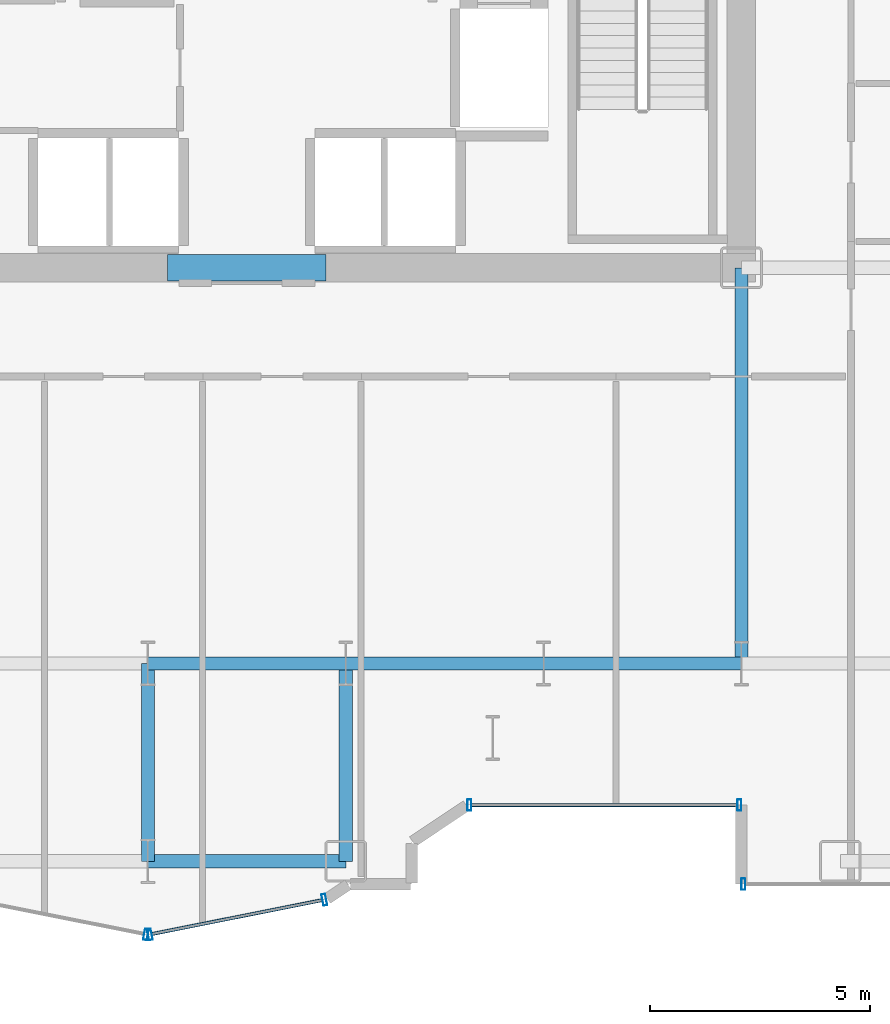
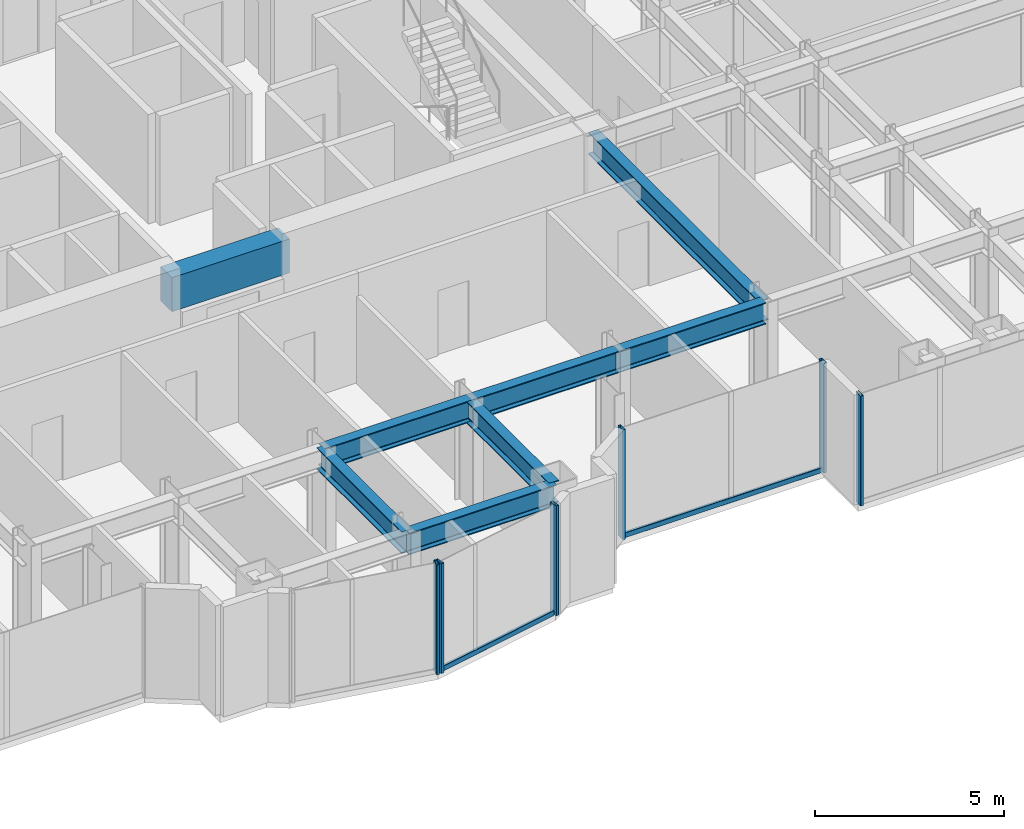
# One storey, part 8 of 30: 8 beams, 8 members, 4 elements without a shape of their own.
"""IFC4 building model written with IfcOpenShell, lengths in metres."""

from ifc_helpers import new_model, si_unit, direction, frame, origin, origin_2d, place, context, subcontext, project, spatial, rectangle, hollow_rectangle, i_section, extrude, source, transform, mapped, material, layer, layer_set, material_profile, profile_set, type_object, element, aggregate, save


model = new_model("IFC4")

# Units and contexts
model_context = context("Model", 3, precision=1e-05, world=origin(), true_north=direction((0.0, 1.0)))
body_context = subcontext(model_context, "Body", "Model", "MODEL_VIEW")
ifc_project = project(units=[si_unit("LENGTHUNIT", "METRE"), si_unit("AREAUNIT", "SQUARE_METRE"), si_unit("VOLUMEUNIT", "CUBIC_METRE"), si_unit("PLANEANGLEUNIT", "RADIAN"), si_unit("MASSUNIT", "GRAM", prefix="KILO")], contexts=[model_context])

# Site, building, storey
site_placement = place(None, origin())
site = spatial("IfcSite", under=ifc_project, at=site_placement, CompositionType="ELEMENT")
building_placement = place(site_placement, origin())
building = spatial("IfcBuilding", under=site, at=building_placement, Name="Nefas-Gora Pilgrimage Tower", CompositionType="ELEMENT")
storey_placement = place(building_placement, frame((0.0, 0.0, 33.0)))
storey = spatial("IfcBuildingStorey", under=building, at=storey_placement, Name="L06", CompositionType="ELEMENT", Elevation=33.0)

# Beams
ifc_material_1 = material(Name="Concrete C60/75", Category="concrete")
ifc_material_profile_1 = material_profile(ifc_material_1, rectangle(XDim=0.60009765625, YDim=1.10009765625, at=origin_2d()), Name="RC 600x1100")
ifc_profile_set_1 = profile_set([ifc_material_profile_1], Name="Concrete C60/75")
beam_type_1 = type_object("IfcBeamType", Name="BM-LIN-RC1100", PredefinedType="LINTEL", material=ifc_profile_set_1)
shared_shape_1 = source(origin(), body_context, "Body", "SweptSolid", [
    extrude(rectangle(XDim=0.60009765625, YDim=1.10009765625, at=origin_2d()), origin(), (0.0, 0.0, 1.0), 3.60009765625),
])
beam_1_placement = place(storey_placement, frame((-1.800048828125, -9.0, 3.0), z_axis=(1.0, 0.0, 0.0), x_axis=(0.0, 1.0, 0.0)))
element("IfcBeam", 1, at=beam_1_placement, inside=storey, type_object=beam_type_1, Name="L06 Core Coupling Lintel Beam S", PredefinedType="LINTEL", context=body_context, shape_type="MappedRepresentation", body=[
    mapped(shared_shape_1, transform((0.0, 0.0, 0.0), x_axis=(1.0, 0.0, 0.0), y_axis=(0.0, 1.0, 0.0), z_axis=(0.0, 0.0, 1.0), scale=1.0)),
])
ifc_material_2 = material(Name="Steel S355", Category="steel")
ifc_material_profile_2 = material_profile(ifc_material_2, i_section(OverallWidth=0.300048828125, OverallDepth=0.699951171875, WebThickness=0.01708984375, FlangeThickness=0.031982421875, FilletRadius=0.027099609375, at=origin_2d()), Name="HEB 700")
ifc_profile_set_2 = profile_set([ifc_material_profile_2], Name="Steel S355")
beam_type_2 = type_object("IfcBeamType", Name="BM-GIR-HEB700", PredefinedType="BEAM", material=ifc_profile_set_2)
shared_shape_2 = source(origin(), body_context, "Body", "SweptSolid", [
    extrude(i_section(OverallWidth=0.300048828125, OverallDepth=0.699951171875, WebThickness=0.01708984375, FlangeThickness=0.031982421875, FilletRadius=0.027099609375, at=origin_2d()), origin(), (0.0, 0.0, 1.0), 9.0),
])
beam_2_placement = place(storey_placement, frame((11.25, -18.0, 3.199951171875), z_axis=(0.0, 1.0, 0.0), x_axis=(-1.0, 0.0, 0.0)))
element("IfcBeam", 2, at=beam_2_placement, inside=storey, type_object=beam_type_2, Name="L06 G-02 beam", PredefinedType="BEAM", context=body_context, shape_type="MappedRepresentation", body=[
    mapped(shared_shape_2, transform((0.0, 0.0, 0.0), x_axis=(1.0, 0.0, 0.0), y_axis=(0.0, 1.0, 0.0), z_axis=(0.0, 0.0, 1.0), scale=1.0)),
])
shared_shape_3 = source(origin(), body_context, "Body", "SweptSolid", [
    extrude(i_section(OverallWidth=0.300048828125, OverallDepth=0.699951171875, WebThickness=0.01708984375, FlangeThickness=0.031982421875, FilletRadius=0.027099609375, at=origin_2d()), origin(), (0.0, 0.0, 1.0), 4.5),
])
for number, where, z_axis, x_axis, name in (
    (3, (-2.25, -22.5, 3.199951171875), (0.0, 1.0, 0.0), (-1.0, 0.0, 0.0), "L06 G-02 beam"),
    (4, (-2.25, -22.5, 3.199951171875), (1.0, 0.0, 0.0), (0.0, 1.0, 0.0), "L06 G-02 beam"),
    (5, (-2.25, -18.0, 3.199951171875), (1.0, 0.0, 0.0), (0.0, 1.0, 0.0), "L06 G-02 beam"),
    (6, (2.25, -22.5, 3.199951171875), (0.0, 1.0, 0.0), (-1.0, 0.0, 0.0), "L06 G-02 beam"),
    (7, (2.25, -18.0, 3.199951171875), (1.0, 0.0, 0.0), (0.0, 1.0, 0.0), "L06 G-02 beam"),
    (8, (6.75, -18.0, 3.199951171875), (1.0, 0.0, 0.0), (0.0, 1.0, 0.0), "L06 G-02 beam"),
):
    element("IfcBeam", number, at=place(storey_placement, frame(where, z_axis=z_axis, x_axis=x_axis)), inside=storey, type_object=beam_type_2, Name=name, PredefinedType="BEAM", context=body_context, shape_type="MappedRepresentation", body=[
        mapped(shared_shape_3, transform((0.0, 0.0, 0.0), x_axis=(1.0, 0.0, 0.0), y_axis=(0.0, 1.0, 0.0), z_axis=(0.0, 0.0, 1.0), scale=1.0)),
    ])

# Curtain wall, members
ifc_material_3 = material(Name="Dark ceramic-fritted solar-control aluminium-glass curtain wall", Category="aluminium")
ifc_layer_1 = layer(ifc_material_3, 0.219970703125)
ifc_layer_set_1 = layer_set([ifc_layer_1], Name="Dark ceramic-fritted solar-control aluminium-glass curtain wall")
curtain_wall_type_1 = type_object("IfcCurtainWallType", Name="CW-SYS-5", PredefinedType="NOTDEFINED", material=ifc_layer_set_1)
curtain_wall_1_placement = place(storey_placement, origin())
curtain_wall_1 = element("IfcCurtainWall", 9, at=curtain_wall_1_placement, inside=storey, type_object=curtain_wall_type_1, Name="L06 Unitised Curtain Wall CW5", PredefinedType="NOTDEFINED")
ifc_material_4 = material(Name="Anodised architectural aluminium", Category="aluminium")
ifc_material_profile_3 = material_profile(ifc_material_4, hollow_rectangle(XDim=0.090087890625, YDim=0.260009765625, WallThickness=0.006103515625, InnerFilletRadius=0.006103515625, OuterFilletRadius=0.011962890625, at=origin_2d()), Name="ALU MULLION 90x260")
ifc_profile_set_3 = profile_set([ifc_material_profile_3], Name="Anodised architectural aluminium")
member_type_1 = type_object("IfcMemberType", Name="CWM-MUL-5", PredefinedType="MULLION", material=ifc_profile_set_3)
shared_shape_4 = source(origin(), body_context, "Body", "SweptSolid", [
    extrude(hollow_rectangle(XDim=0.090087890625, YDim=0.260009765625, WallThickness=0.006103515625, InnerFilletRadius=0.006103515625, OuterFilletRadius=0.011962890625, at=origin_2d()), origin(), (0.0, 0.0, 1.0), 3.550048828125),
])
member_1_placement = place(storey_placement, frame((5.06298828125, -21.219970703125, 0.0), z_axis=(0.0, 0.0, 1.0), x_axis=(1.0, 0.0, 0.0)))
member_1 = element("IfcMember", 10, at=member_1_placement, type_object=member_type_1, Name="CW5 Mullion 1", PredefinedType="MULLION", context=body_context, shape_type="MappedRepresentation", body=[
    mapped(shared_shape_4, transform((0.0, 0.0, 0.0), x_axis=(1.0, 0.0, 0.0), y_axis=(0.0, 1.0, 0.0), z_axis=(0.0, 0.0, 1.0), scale=1.0)),
])
member_2_placement = place(storey_placement, frame((11.205078125, -21.219970703125, 0.0), z_axis=(0.0, 0.0, 1.0), x_axis=(1.0, 0.0, 0.0)))
member_2 = element("IfcMember", 11, at=member_2_placement, type_object=member_type_1, Name="CW5 Mullion 2", PredefinedType="MULLION", context=body_context, shape_type="MappedRepresentation", body=[
    mapped(shared_shape_4, transform((0.0, 0.0, 0.0), x_axis=(1.0, 0.0, 0.0), y_axis=(0.0, 1.0, 0.0), z_axis=(0.0, 0.0, 1.0), scale=1.0)),
])

# Curtain wall, member
curtain_wall_2_placement = place(storey_placement, origin())
curtain_wall_2 = element("IfcCurtainWall", 12, at=curtain_wall_2_placement, inside=storey, type_object=curtain_wall_type_1, Name="L06 Unitised Curtain Wall CW5", PredefinedType="NOTDEFINED")
member_3_placement = place(storey_placement, frame((-2.294189453125, -24.16357421875, 0.0), z_axis=(0.0, 0.0, 1.0), x_axis=(0.980782896852, -0.195102304554, 0.0)))
member_3 = element("IfcMember", 13, at=member_3_placement, type_object=member_type_1, Name="CW5 Mullion 2", PredefinedType="MULLION", context=body_context, shape_type="MappedRepresentation", body=[
    mapped(shared_shape_4, transform((0.0, 0.0, 0.0), x_axis=(1.0, 0.0, 0.0), y_axis=(0.0, 1.0, 0.0), z_axis=(0.0, 0.0, 1.0), scale=1.0)),
])
aggregate(curtain_wall_2, [member_3])

# Curtain wall, members
curtain_wall_3_placement = place(storey_placement, origin())
curtain_wall_3 = element("IfcCurtainWall", 14, at=curtain_wall_3_placement, inside=storey, type_object=curtain_wall_type_1, Name="L06 Unitised Curtain Wall CW5", PredefinedType="NOTDEFINED")
member_4_placement = place(storey_placement, frame((-2.205810546875, -24.16357421875, 0.0), z_axis=(0.0, 0.0, 1.0), x_axis=(0.980782896852, 0.195102304554, 0.0)))
member_4 = element("IfcMember", 15, at=member_4_placement, type_object=member_type_1, Name="CW5 Mullion 1", PredefinedType="MULLION", context=body_context, shape_type="MappedRepresentation", body=[
    mapped(shared_shape_4, transform((0.0, 0.0, 0.0), x_axis=(1.0, 0.0, 0.0), y_axis=(0.0, 1.0, 0.0), z_axis=(0.0, 0.0, 1.0), scale=1.0)),
])
member_5_placement = place(storey_placement, frame((1.76318359375, -23.3740234375, 0.0), z_axis=(0.0, 0.0, 1.0), x_axis=(0.980782896852, 0.195102304554, 0.0)))
member_5 = element("IfcMember", 16, at=member_5_placement, type_object=member_type_1, Name="CW5 Mullion 2", PredefinedType="MULLION", context=body_context, shape_type="MappedRepresentation", body=[
    mapped(shared_shape_4, transform((0.0, 0.0, 0.0), x_axis=(1.0, 0.0, 0.0), y_axis=(0.0, 1.0, 0.0), z_axis=(0.0, 0.0, 1.0), scale=1.0)),
])

# Member
ifc_material_profile_4 = material_profile(ifc_material_4, hollow_rectangle(XDim=0.080078125, YDim=0.159912109375, WallThickness=0.00439453125, InnerFilletRadius=0.00439453125, OuterFilletRadius=0.009033203125, at=origin_2d()), Name="ALU TRANSOM 80x160")
ifc_profile_set_4 = profile_set([ifc_material_profile_4], Name="Anodised architectural aluminium")
member_type_2 = type_object("IfcMemberType", Name="CWM-TRN-5", PredefinedType="USERDEFINED", material=ifc_profile_set_4)
shared_shape_5 = source(origin(), body_context, "Body", "SweptSolid", [
    extrude(hollow_rectangle(XDim=0.080078125, YDim=0.159912109375, WallThickness=0.00439453125, InnerFilletRadius=0.00439453125, OuterFilletRadius=0.009033203125, at=origin_2d()), origin(), (0.0, 0.0, 1.0), 6.052001953125),
])
member_6_placement = place(storey_placement, frame((5.10791015625, -21.219970703125, 0.050048828125), z_axis=(1.0, 0.0, 0.0), x_axis=(0.0, 1.0, 0.0)))
member_6 = element("IfcMember", 17, at=member_6_placement, type_object=member_type_2, Name="CW5 Spandrel Transom", ObjectType="TRANSOM", PredefinedType="USERDEFINED", context=body_context, shape_type="MappedRepresentation", body=[
    mapped(shared_shape_5, transform((0.0, 0.0, 0.0), x_axis=(1.0, 0.0, 0.0), y_axis=(0.0, 1.0, 0.0), z_axis=(0.0, 0.0, 1.0), scale=1.0)),
])

aggregate(curtain_wall_1, [member_1, member_2, member_6])

# Curtain wall, member
ifc_layer_2 = layer(ifc_material_3, 0.219970703125)
ifc_layer_set_2 = layer_set([ifc_layer_2], Name="Dark ceramic-fritted solar-control aluminium-glass curtain wall")
curtain_wall_type_2 = type_object("IfcCurtainWallType", Name="CW-SYS-2", PredefinedType="NOTDEFINED", material=ifc_layer_set_2)
curtain_wall_4_placement = place(storey_placement, origin())
curtain_wall_4 = element("IfcCurtainWall", 18, at=curtain_wall_4_placement, inside=storey, type_object=curtain_wall_type_2, Name="L06 Unitised Curtain Wall CW2", PredefinedType="NOTDEFINED")
ifc_material_profile_5 = material_profile(ifc_material_4, hollow_rectangle(XDim=0.090087890625, YDim=0.260009765625, WallThickness=0.006103515625, InnerFilletRadius=0.006103515625, OuterFilletRadius=0.011962890625, at=origin_2d()), Name="ALU MULLION 90x260")
ifc_profile_set_5 = profile_set([ifc_material_profile_5], Name="Anodised architectural aluminium")
member_type_3 = type_object("IfcMemberType", Name="CWM-MUL-2", PredefinedType="MULLION", material=ifc_profile_set_5)
shared_shape_6 = source(origin(), body_context, "Body", "SweptSolid", [
    extrude(hollow_rectangle(XDim=0.090087890625, YDim=0.260009765625, WallThickness=0.006103515625, InnerFilletRadius=0.006103515625, OuterFilletRadius=0.011962890625, at=origin_2d()), origin(), (0.0, 0.0, 1.0), 3.550048828125),
])
member_7_placement = place(storey_placement, frame((11.294921875, -23.02001953125, 0.0), z_axis=(0.0, 0.0, 1.0), x_axis=(1.0, 0.0, 0.0)))
member_7 = element("IfcMember", 19, at=member_7_placement, type_object=member_type_3, Name="CW2 Mullion 1", PredefinedType="MULLION", context=body_context, shape_type="MappedRepresentation", body=[
    mapped(shared_shape_6, transform((0.0, 0.0, 0.0), x_axis=(1.0, 0.0, 0.0), y_axis=(0.0, 1.0, 0.0), z_axis=(0.0, 0.0, 1.0), scale=1.0)),
])
aggregate(curtain_wall_4, [member_7])

# Member
shared_shape_7 = source(origin(), body_context, "Body", "SweptSolid", [
    extrude(hollow_rectangle(XDim=0.080078125, YDim=0.159912109375, WallThickness=0.00439453125, InnerFilletRadius=0.00439453125, OuterFilletRadius=0.009033203125, at=origin_2d()), origin(), (0.0, 0.0, 1.0), 3.95654296875),
])
member_8_placement = place(storey_placement, frame((-2.16162109375, -24.15478515625, 0.050048828125), z_axis=(0.980781880918, 0.195107411605, 0.0), x_axis=(-0.195107411605, 0.980781880918, 0.0)))
member_8 = element("IfcMember", 20, at=member_8_placement, type_object=member_type_2, Name="CW5 Spandrel Transom", ObjectType="TRANSOM", PredefinedType="USERDEFINED", context=body_context, shape_type="MappedRepresentation", body=[
    mapped(shared_shape_7, transform((0.0, 0.0, 0.0), x_axis=(1.0, 0.0, 0.0), y_axis=(0.0, 1.0, 0.0), z_axis=(0.0, 0.0, 1.0), scale=1.0)),
])

aggregate(curtain_wall_3, [member_4, member_5, member_8])

save(model, "model.ifc")
